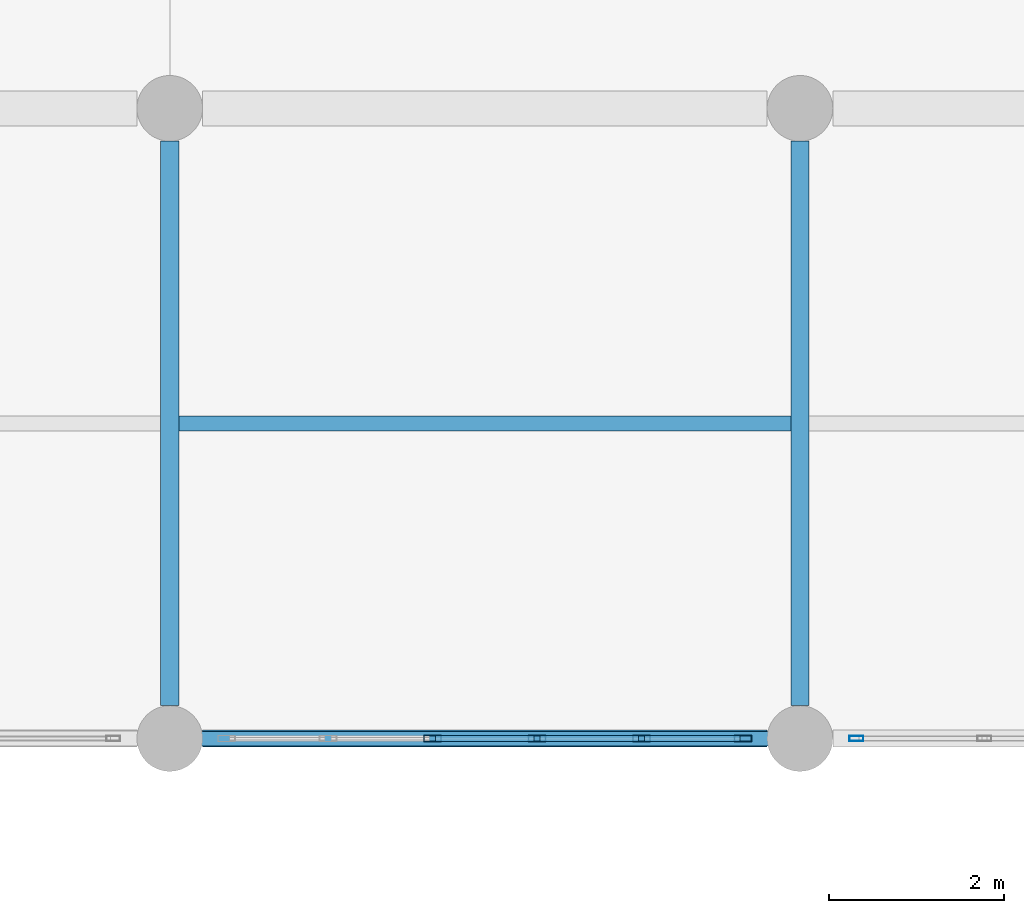
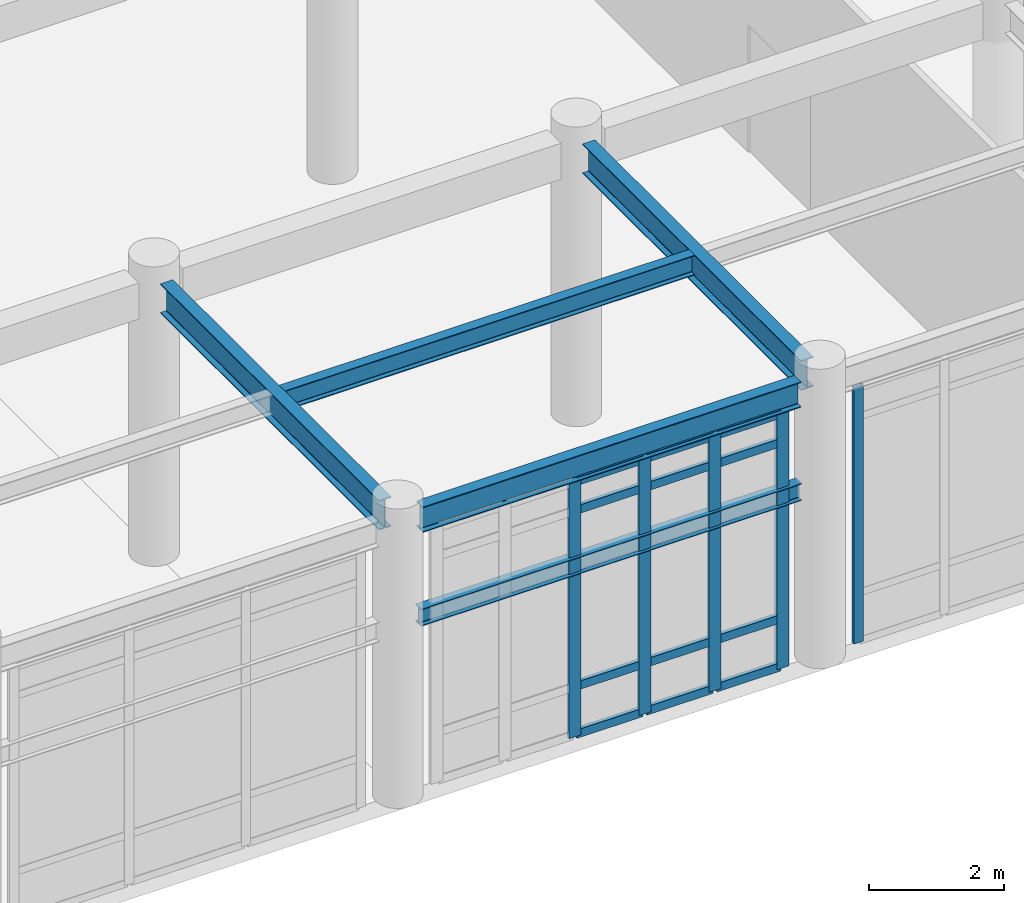
# One storey, part 33 of 102: 17 members, 5 beams, 2 elements without a shape of their own.
"""IFC4 building model written with IfcOpenShell, lengths in metres."""

from ifc_helpers import new_model, si_unit, direction, frame, origin, origin_2d, place, context, subcontext, project, spatial, hollow_rectangle, i_section, extrude, material, layer, layer_set, material_profile, profile_set, type_object, element, aggregate, save


model = new_model("IFC4")

# Units and contexts
model_context = context("Model", 3, precision=1e-05, world=origin(), true_north=direction((0.0, 1.0)))
body_context = subcontext(model_context, "Body", "Model", "MODEL_VIEW")
ifc_project = project(units=[si_unit("LENGTHUNIT", "METRE"), si_unit("AREAUNIT", "SQUARE_METRE"), si_unit("VOLUMEUNIT", "CUBIC_METRE"), si_unit("PLANEANGLEUNIT", "RADIAN"), si_unit("MASSUNIT", "GRAM", prefix="KILO")], contexts=[model_context])

# Site, building, storey
site_placement = place(None, origin())
site = spatial("IfcSite", under=ifc_project, at=site_placement, CompositionType="ELEMENT")
building_placement = place(site_placement, origin())
building = spatial("IfcBuilding", under=site, at=building_placement, Name="Carrowvane Square Congress Hotel", CompositionType="ELEMENT")
storey_placement = place(building_placement, origin())
storey = spatial("IfcBuildingStorey", under=building, at=storey_placement, Name="L00", CompositionType="ELEMENT", Elevation=0.0)

# Beams
ifc_material_1 = material(Name="Steel S355", Category="steel")
ifc_material_profile_1 = material_profile(ifc_material_1, i_section(OverallWidth=0.165771484375, OverallDepth=0.306640625, WebThickness=0.006591796875, FlangeThickness=0.01171875, FilletRadius=0.0087890625, at=origin_2d()), Name="UKB 305x165x46")
ifc_profile_set_1 = profile_set([ifc_material_profile_1], Name="Steel S355")
beam_type_1 = type_object("IfcBeamType", Name="BM-LNT-1", PredefinedType="LINTEL", material=ifc_profile_set_1)
beam_1_placement = place(storey_placement, frame((83.949951171875, 70.199951171875, 3.10009765625), z_axis=(1.0, 0.0, 0.0), x_axis=(0.0, 1.0, 0.0)))
element("IfcBeam", 1, at=beam_1_placement, inside=storey, type_object=beam_type_1, Name="L00 passage portal steel lintel 3", PredefinedType="LINTEL", context=body_context, shape_type="SweptSolid", body=[
    extrude(i_section(OverallWidth=0.165771484375, OverallDepth=0.306640625, WebThickness=0.006591796875, FlangeThickness=0.01171875, FilletRadius=0.0087890625, at=origin_2d()), origin(), (0.0, 0.0, 1.0), 6.5),
])
ifc_material_2 = material(Name="Steel S355", Category="steel")
ifc_material_profile_2 = material_profile(ifc_material_2, i_section(OverallWidth=0.172119140625, OverallDepth=0.35791015625, WebThickness=0.008056640625, FlangeThickness=0.012939453125, FilletRadius=0.01025390625, at=origin_2d()), Name="UKB 356x171x57")
ifc_profile_set_2 = profile_set([ifc_material_profile_2], Name="Steel S355")
beam_type_2 = type_object("IfcBeamType", Name="BM-ST-UKB356", PredefinedType="JOIST", material=ifc_profile_set_2)
beam_2_placement = place(storey_placement, frame((83.705078125, 73.800048828125, 4.9208984375), z_axis=(1.0, 0.0, 0.0), x_axis=(0.0, 1.0, 0.0)))
element("IfcBeam", 2, at=beam_2_placement, inside=storey, type_object=beam_type_2, Name="L01 secondary joist 11-12", PredefinedType="JOIST", context=body_context, shape_type="SweptSolid", body=[
    extrude(i_section(OverallWidth=0.172119140625, OverallDepth=0.35791015625, WebThickness=0.008056640625, FlangeThickness=0.012939453125, FilletRadius=0.01025390625, at=origin_2d()), origin(), (0.0, 0.0, 1.0), 6.989990234375),
])
ifc_material_3 = material(Name="Steel S355", Category="steel")
ifc_material_profile_3 = material_profile(ifc_material_3, i_section(OverallWidth=0.19140625, OverallDepth=0.4599609375, WebThickness=0.010009765625, FlangeThickness=0.01611328125, FilletRadius=0.01025390625, at=origin_2d()), Name="UKB 457x191x82")
ifc_profile_set_3 = profile_set([ifc_material_profile_3], Name="Steel S355")
beam_type_3 = type_object("IfcBeamType", Name="BM-ST-UKB457", PredefinedType="SPANDREL", material=ifc_profile_set_3)
beam_3_placement = place(storey_placement, frame((83.97509765625, 70.199951171875, 4.8701171875), z_axis=(1.0, 0.0, 0.0), x_axis=(0.0, 1.0, 0.0)))
element("IfcBeam", 3, at=beam_3_placement, inside=storey, type_object=beam_type_3, Name="L01 girder K/11-12", PredefinedType="SPANDREL", context=body_context, shape_type="SweptSolid", body=[
    extrude(i_section(OverallWidth=0.19140625, OverallDepth=0.4599609375, WebThickness=0.010009765625, FlangeThickness=0.01611328125, FilletRadius=0.01025390625, at=origin_2d()), origin(), (0.0, 0.0, 1.0), 6.449951171875),
])
ifc_material_4 = material(Name="Steel S355", Category="steel")
ifc_material_profile_4 = material_profile(ifc_material_4, i_section(OverallWidth=0.2099609375, OverallDepth=0.53662109375, WebThickness=0.0107421875, FlangeThickness=0.017333984375, FilletRadius=0.0126953125, at=origin_2d()), Name="UKB 533x210x101")
ifc_profile_set_4 = profile_set([ifc_material_profile_4], Name="Steel S355")
beam_type_4 = type_object("IfcBeamType", Name="BM-ST-UKB533", PredefinedType="USERDEFINED", material=ifc_profile_set_4)
for number, where, z_axis, x_axis, name in (
    (4, (83.60009765625, 70.574951171875, 4.83154296875), (0.0, 1.0, 0.0), (-1.0, 0.0, 0.0), "L01 girder 11/K-L"),
    (5, (90.800048828125, 70.574951171875, 4.83154296875), (0.0, 1.0, 0.0), (-1.0, 0.0, 0.0), "L01 girder 12/K-L"),
):
    element("IfcBeam", number, at=place(storey_placement, frame(where, z_axis=z_axis, x_axis=x_axis)), inside=storey, type_object=beam_type_4, Name=name, ObjectType="GIRDER", PredefinedType="USERDEFINED", context=body_context, shape_type="SweptSolid", body=[
        extrude(i_section(OverallWidth=0.2099609375, OverallDepth=0.53662109375, WebThickness=0.0107421875, FlangeThickness=0.017333984375, FilletRadius=0.0126953125, at=origin_2d()), origin(), (0.0, 0.0, 1.0), 6.449951171875),
    ])

# Curtain wall, member
ifc_material_5 = material(Name="Anodised aluminium", Category="aluminium")
ifc_layer_1 = layer(ifc_material_5, 0.23388671875)
ifc_layer_set_1 = layer_set([ifc_layer_1], Name="Anodised aluminium")
curtain_wall_type_1 = type_object("IfcCurtainWallType", Name="CW-SYS-7", PredefinedType="NOTDEFINED", material=ifc_layer_set_1)
curtain_wall_1_placement = place(storey_placement, origin())
curtain_wall_1 = element("IfcCurtainWall", 6, at=curtain_wall_1_placement, inside=storey, type_object=curtain_wall_type_1, Name="L00 unitised curtain wall 54", PredefinedType="NOTDEFINED")
ifc_material_6 = material(Name="Anodised aluminium", Category="aluminium")
ifc_material_profile_5 = material_profile(ifc_material_6, hollow_rectangle(XDim=0.06005859375, YDim=0.159912109375, WallThickness=0.00390625, at=origin_2d()), Name="CW-ML 60x160x4")
ifc_profile_set_5 = profile_set([ifc_material_profile_5], Name="Anodised aluminium")
member_type_1 = type_object("IfcMemberType", Name="CW-MUL-1", PredefinedType="MULLION", material=ifc_profile_set_5)
member_1_placement = place(storey_placement, frame((91.445068359375, 70.199951171875, 0.0), z_axis=(0.0, 0.0, 1.0), x_axis=(0.0, -1.0, 0.0)))
member_1 = element("IfcMember", 7, at=member_1_placement, type_object=member_type_1, Name="CW-7 mullion 5", PredefinedType="MULLION", context=body_context, shape_type="SweptSolid", body=[
    extrude(hollow_rectangle(XDim=0.06005859375, YDim=0.159912109375, WallThickness=0.00390625, at=origin_2d()), origin(), (0.0, 0.0, 1.0), 4.625),
])
aggregate(curtain_wall_1, [member_1])

# Curtain wall, members
ifc_material_7 = material(Name="Anodised aluminium", Category="aluminium")
ifc_layer_2 = layer(ifc_material_7, 0.24609375)
ifc_layer_set_2 = layer_set([ifc_layer_2], Name="Anodised aluminium")
curtain_wall_type_2 = type_object("IfcCurtainWallType", Name="CW-SYS-8", PredefinedType="NOTDEFINED", material=ifc_layer_set_2)
curtain_wall_2_placement = place(storey_placement, origin())
curtain_wall_2 = element("IfcCurtainWall", 8, at=curtain_wall_2_placement, inside=storey, type_object=curtain_wall_type_2, Name="L00 unitised curtain wall 55", PredefinedType="NOTDEFINED")
ifc_material_8 = material(Name="Anodised aluminium", Category="aluminium")
ifc_material_profile_6 = material_profile(ifc_material_8, hollow_rectangle(XDim=0.070068359375, YDim=0.199951171875, WallThickness=0.0048828125, at=origin_2d()), Name="CW-ML 70x200x5")
ifc_profile_set_6 = profile_set([ifc_material_profile_6], Name="Anodised aluminium")
member_type_2 = type_object("IfcMemberType", Name="CW-MUL-2", PredefinedType="MULLION", material=ifc_profile_set_6)
member_2_placement = place(storey_placement, frame((90.14990234375, 70.199951171875, 0.0), z_axis=(0.0, 0.0, 1.0), x_axis=(0.0, -1.0, 0.0)))
member_2 = element("IfcMember", 9, at=member_2_placement, type_object=member_type_2, Name="CW-8 mullion 1", PredefinedType="MULLION", context=body_context, shape_type="SweptSolid", body=[
    extrude(hollow_rectangle(XDim=0.070068359375, YDim=0.199951171875, WallThickness=0.0048828125, at=origin_2d()), origin(), (0.0, 0.0, 1.0), 4.625),
])
member_3_placement = place(storey_placement, frame((88.990966796875, 70.199951171875, 0.0), z_axis=(0.0, 0.0, 1.0), x_axis=(0.0, -1.0, 0.0)))
member_3 = element("IfcMember", 10, at=member_3_placement, type_object=member_type_2, Name="CW-8 mullion 2", PredefinedType="MULLION", context=body_context, shape_type="SweptSolid", body=[
    extrude(hollow_rectangle(XDim=0.070068359375, YDim=0.199951171875, WallThickness=0.0048828125, at=origin_2d()), origin(), (0.0, 0.0, 1.0), 4.625),
])
member_4_placement = place(storey_placement, frame((87.797119140625, 70.199951171875, 0.0), z_axis=(0.0, 0.0, 1.0), x_axis=(0.0, -1.0, 0.0)))
member_4 = element("IfcMember", 11, at=member_4_placement, type_object=member_type_2, Name="CW-8 mullion 3", PredefinedType="MULLION", context=body_context, shape_type="SweptSolid", body=[
    extrude(hollow_rectangle(XDim=0.070068359375, YDim=0.199951171875, WallThickness=0.0048828125, at=origin_2d()), origin(), (0.0, 0.0, 1.0), 4.625),
])
member_5_placement = place(storey_placement, frame((86.60302734375, 70.199951171875, 0.0), z_axis=(0.0, 0.0, 1.0), x_axis=(0.0, -1.0, 0.0)))
member_5 = element("IfcMember", 12, at=member_5_placement, type_object=member_type_2, Name="CW-8 mullion 4", PredefinedType="MULLION", context=body_context, shape_type="SweptSolid", body=[
    extrude(hollow_rectangle(XDim=0.070068359375, YDim=0.199951171875, WallThickness=0.0048828125, at=origin_2d()), origin(), (0.0, 0.0, 1.0), 4.625),
])
ifc_material_9 = material(Name="Anodised aluminium", Category="aluminium")
ifc_material_profile_7 = material_profile(ifc_material_9, hollow_rectangle(XDim=0.070068359375, YDim=0.14990234375, WallThickness=0.0048828125, at=origin_2d()), Name="CW-TR 70x150x5")
ifc_profile_set_7 = profile_set([ifc_material_profile_7], Name="Anodised aluminium")
member_type_3 = type_object("IfcMemberType", Name="CW-TRN-2", PredefinedType="USERDEFINED", material=ifc_profile_set_7)
member_6_placement = place(storey_placement, frame((90.114990234375, 70.199951171875, 0.034912109375), z_axis=(-1.0, 0.0, 0.0), x_axis=(0.0, -1.0, 0.0)))
member_6 = element("IfcMember", 13, at=member_6_placement, type_object=member_type_3, Name="CW-8 transom 1.1", ObjectType="TRANSOM", PredefinedType="USERDEFINED", context=body_context, shape_type="SweptSolid", body=[
    extrude(hollow_rectangle(XDim=0.070068359375, YDim=0.14990234375, WallThickness=0.0048828125, at=origin_2d()), origin(), (0.0, 0.0, 1.0), 1.089111328125),
])
member_7_placement = place(storey_placement, frame((90.114990234375, 70.199951171875, 0.89990234375), z_axis=(-1.0, 0.0, 0.0), x_axis=(0.0, -1.0, 0.0)))
member_7 = element("IfcMember", 14, at=member_7_placement, type_object=member_type_3, Name="CW-8 transom 1.2", ObjectType="TRANSOM", PredefinedType="USERDEFINED", context=body_context, shape_type="SweptSolid", body=[
    extrude(hollow_rectangle(XDim=0.070068359375, YDim=0.14990234375, WallThickness=0.0048828125, at=origin_2d()), origin(), (0.0, 0.0, 1.0), 1.089111328125),
])
member_8_placement = place(storey_placement, frame((90.114990234375, 70.199951171875, 4.074951171875), z_axis=(-1.0, 0.0, 0.0), x_axis=(0.0, -1.0, 0.0)))
member_8 = element("IfcMember", 15, at=member_8_placement, type_object=member_type_3, Name="CW-8 transom 1.3", ObjectType="TRANSOM", PredefinedType="USERDEFINED", context=body_context, shape_type="SweptSolid", body=[
    extrude(hollow_rectangle(XDim=0.070068359375, YDim=0.14990234375, WallThickness=0.0048828125, at=origin_2d()), origin(), (0.0, 0.0, 1.0), 1.089111328125),
])
member_9_placement = place(storey_placement, frame((90.114990234375, 70.199951171875, 4.590087890625), z_axis=(-1.0, 0.0, 0.0), x_axis=(0.0, -1.0, 0.0)))
member_9 = element("IfcMember", 16, at=member_9_placement, type_object=member_type_3, Name="CW-8 transom 1.4", ObjectType="TRANSOM", PredefinedType="USERDEFINED", context=body_context, shape_type="SweptSolid", body=[
    extrude(hollow_rectangle(XDim=0.070068359375, YDim=0.14990234375, WallThickness=0.0048828125, at=origin_2d()), origin(), (0.0, 0.0, 1.0), 1.089111328125),
])
member_10_placement = place(storey_placement, frame((88.9560546875, 70.199951171875, 0.034912109375), z_axis=(-1.0, 0.0, 0.0), x_axis=(0.0, -1.0, 0.0)))
member_10 = element("IfcMember", 17, at=member_10_placement, type_object=member_type_3, Name="CW-8 transom 2.1", ObjectType="TRANSOM", PredefinedType="USERDEFINED", context=body_context, shape_type="SweptSolid", body=[
    extrude(hollow_rectangle(XDim=0.070068359375, YDim=0.14990234375, WallThickness=0.0048828125, at=origin_2d()), origin(), (0.0, 0.0, 1.0), 1.1240234375),
])
member_11_placement = place(storey_placement, frame((88.9560546875, 70.199951171875, 0.89990234375), z_axis=(-1.0, 0.0, 0.0), x_axis=(0.0, -1.0, 0.0)))
member_11 = element("IfcMember", 18, at=member_11_placement, type_object=member_type_3, Name="CW-8 transom 2.2", ObjectType="TRANSOM", PredefinedType="USERDEFINED", context=body_context, shape_type="SweptSolid", body=[
    extrude(hollow_rectangle(XDim=0.070068359375, YDim=0.14990234375, WallThickness=0.0048828125, at=origin_2d()), origin(), (0.0, 0.0, 1.0), 1.1240234375),
])
member_12_placement = place(storey_placement, frame((88.9560546875, 70.199951171875, 4.074951171875), z_axis=(-1.0, 0.0, 0.0), x_axis=(0.0, -1.0, 0.0)))
member_12 = element("IfcMember", 19, at=member_12_placement, type_object=member_type_3, Name="CW-8 transom 2.3", ObjectType="TRANSOM", PredefinedType="USERDEFINED", context=body_context, shape_type="SweptSolid", body=[
    extrude(hollow_rectangle(XDim=0.070068359375, YDim=0.14990234375, WallThickness=0.0048828125, at=origin_2d()), origin(), (0.0, 0.0, 1.0), 1.1240234375),
])
member_13_placement = place(storey_placement, frame((88.9560546875, 70.199951171875, 4.590087890625), z_axis=(-1.0, 0.0, 0.0), x_axis=(0.0, -1.0, 0.0)))
member_13 = element("IfcMember", 20, at=member_13_placement, type_object=member_type_3, Name="CW-8 transom 2.4", ObjectType="TRANSOM", PredefinedType="USERDEFINED", context=body_context, shape_type="SweptSolid", body=[
    extrude(hollow_rectangle(XDim=0.070068359375, YDim=0.14990234375, WallThickness=0.0048828125, at=origin_2d()), origin(), (0.0, 0.0, 1.0), 1.1240234375),
])
member_14_placement = place(storey_placement, frame((87.761962890625, 70.199951171875, 0.034912109375), z_axis=(-1.0, 0.0, 0.0), x_axis=(0.0, -1.0, 0.0)))
member_14 = element("IfcMember", 21, at=member_14_placement, type_object=member_type_3, Name="CW-8 transom 3.1", ObjectType="TRANSOM", PredefinedType="USERDEFINED", context=body_context, shape_type="SweptSolid", body=[
    extrude(hollow_rectangle(XDim=0.070068359375, YDim=0.14990234375, WallThickness=0.0048828125, at=origin_2d()), origin(), (0.0, 0.0, 1.0), 1.1240234375),
])
member_15_placement = place(storey_placement, frame((87.761962890625, 70.199951171875, 0.89990234375), z_axis=(-1.0, 0.0, 0.0), x_axis=(0.0, -1.0, 0.0)))
member_15 = element("IfcMember", 22, at=member_15_placement, type_object=member_type_3, Name="CW-8 transom 3.2", ObjectType="TRANSOM", PredefinedType="USERDEFINED", context=body_context, shape_type="SweptSolid", body=[
    extrude(hollow_rectangle(XDim=0.070068359375, YDim=0.14990234375, WallThickness=0.0048828125, at=origin_2d()), origin(), (0.0, 0.0, 1.0), 1.1240234375),
])
member_16_placement = place(storey_placement, frame((87.761962890625, 70.199951171875, 4.074951171875), z_axis=(-1.0, 0.0, 0.0), x_axis=(0.0, -1.0, 0.0)))
member_16 = element("IfcMember", 23, at=member_16_placement, type_object=member_type_3, Name="CW-8 transom 3.3", ObjectType="TRANSOM", PredefinedType="USERDEFINED", context=body_context, shape_type="SweptSolid", body=[
    extrude(hollow_rectangle(XDim=0.070068359375, YDim=0.14990234375, WallThickness=0.0048828125, at=origin_2d()), origin(), (0.0, 0.0, 1.0), 1.1240234375),
])
member_17_placement = place(storey_placement, frame((87.761962890625, 70.199951171875, 4.590087890625), z_axis=(-1.0, 0.0, 0.0), x_axis=(0.0, -1.0, 0.0)))
member_17 = element("IfcMember", 24, at=member_17_placement, type_object=member_type_3, Name="CW-8 transom 3.4", ObjectType="TRANSOM", PredefinedType="USERDEFINED", context=body_context, shape_type="SweptSolid", body=[
    extrude(hollow_rectangle(XDim=0.070068359375, YDim=0.14990234375, WallThickness=0.0048828125, at=origin_2d()), origin(), (0.0, 0.0, 1.0), 1.1240234375),
])
aggregate(curtain_wall_2, [member_2, member_3, member_4, member_5, member_6, member_7, member_8, member_9, member_10, member_11, member_12, member_13, member_14, member_15, member_16, member_17])

save(model, "model.ifc")
